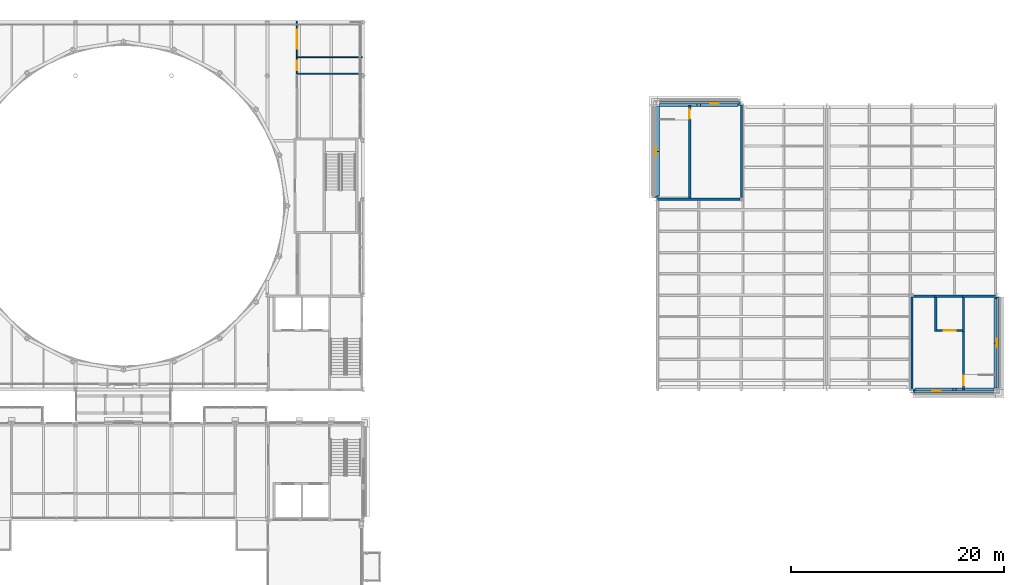
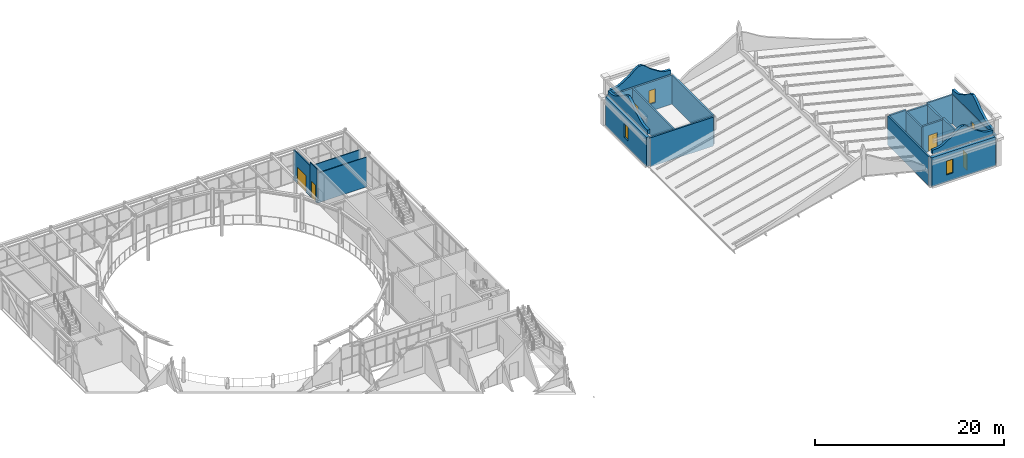
# One storey, part 74 of 111: 23 walls, 5 doors, 4 windows, 9 openings.
"""IFC4 building model written with IfcOpenShell, lengths in metres."""

from ifc_helpers import new_model, si_unit, direction, frame, frame_2d, origin, place, context, subcontext, project, spatial, polyline, rectangle, outline, extrude, material, layer, layer_set, type_object, element, fill, save


model = new_model("IFC4")

# Units and contexts
model_context = context("Model", 3, precision=1e-05, world=origin(), true_north=direction((0.0, 1.0)))
body_context = subcontext(model_context, "Body", "Model", "MODEL_VIEW")
ifc_project = project(units=[si_unit("LENGTHUNIT", "METRE"), si_unit("AREAUNIT", "SQUARE_METRE"), si_unit("VOLUMEUNIT", "CUBIC_METRE"), si_unit("PLANEANGLEUNIT", "RADIAN"), si_unit("MASSUNIT", "GRAM", prefix="KILO")], contexts=[model_context])

# Site, building, storey
site_placement = place(None, origin())
site = spatial("IfcSite", under=ifc_project, at=site_placement, CompositionType="ELEMENT")
building_placement = place(site_placement, origin())
building = spatial("IfcBuilding", under=site, at=building_placement, Name="Kallimachos Central Library", CompositionType="ELEMENT")
storey_placement = place(building_placement, frame((0.0, 0.0, 14.39990234375)))
storey = spatial("IfcBuildingStorey", under=building, at=storey_placement, Name="L03", CompositionType="ELEMENT", Elevation=14.39990234375)

# Walls
ifc_material_1 = material(Name="Concrete C30/37", Category="concrete")
ifc_layer_1 = layer(ifc_material_1, 0.199951171875)
ifc_layer_set_1 = layer_set([ifc_layer_1], Name="Core wall 200")
wall_type_1 = type_object("IfcWallType", Name="Core wall 200", PredefinedType="SOLIDWALL", material=ifc_layer_set_1)
for number, where, z_axis, x_axis, name in (
    (1, (146.0, 105.14990234375, 0.0), (0.0, 0.0, 1.0), (0.0, 1.0, 0.0), "V3-WAL-L03-005"),
    (2, (162.0, 87.14990234375, 0.0), (0.0, 0.0, 1.0), (0.0, 1.0, 0.0), "V3-WAL-L03-006"),
):
    element("IfcWall", number, at=place(storey_placement, frame(where, z_axis=z_axis, x_axis=x_axis)), inside=storey, type_object=wall_type_1, Name=name, PredefinedType="SOLIDWALL", context=body_context, shape_type="SweptSolid", body=[
        extrude(rectangle(XDim=8.7001953125, YDim=0.199951171875, at=frame_2d((4.35009765625, 0.0))), origin(), (0.0, 0.0, 1.0), 3.75),
    ])
wall_1_placement = place(storey_placement, frame((138.14990234375, 105.0, 0.0), z_axis=(0.0, 0.0, 1.0), x_axis=(1.0, 0.0, 0.0)))
element("IfcWall", 3, at=wall_1_placement, inside=storey, type_object=wall_type_1, Name="V3-WAL-L03-007", PredefinedType="SOLIDWALL", context=body_context, shape_type="SweptSolid", body=[
    extrude(rectangle(XDim=7.7001953125, YDim=0.199951171875, at=frame_2d((3.85009765625, 0.0))), origin(), (0.0, 0.0, 1.0), 3.75),
])
wall_2_placement = place(storey_placement, frame((162.14990234375, 95.89990234375, 0.0), z_axis=(0.0, 0.0, 1.0), x_axis=(1.0, 0.0, 0.0)))
element("IfcWall", 4, at=wall_2_placement, inside=storey, type_object=wall_type_1, Name="V3-WAL-L03-008", PredefinedType="SOLIDWALL", context=body_context, shape_type="SweptSolid", body=[
    extrude(rectangle(XDim=2.0, YDim=0.199951171875, at=frame_2d((1.0, 0.0))), origin(), (0.0, 0.0, 1.0), 3.75),
])
wall_3_placement = place(storey_placement, frame((166.75, 95.89990234375, 0.0), z_axis=(0.0, 0.0, 1.0), x_axis=(1.0, 0.0, 0.0)))
element("IfcWall", 5, at=wall_3_placement, inside=storey, type_object=wall_type_1, Name="V3-WAL-L03-009", PredefinedType="SOLIDWALL", context=body_context, shape_type="SweptSolid", body=[
    extrude(rectangle(XDim=3.10009765625, YDim=0.199951171875, at=frame_2d((1.550048828125, 0.0))), origin(), (0.0, 0.0, 1.0), 3.75),
])

# Wall, opening, door
wall_4_placement = place(storey_placement, frame((166.85009765625, 87.14990234375, 0.0), z_axis=(0.0, 0.0, 1.0), x_axis=(0.0, 1.0, 0.0)))
wall_4 = element("IfcWall", 6, at=wall_4_placement, inside=storey, type_object=wall_type_1, Name="V3-WAL-L03-010", PredefinedType="SOLIDWALL", context=body_context, shape_type="SweptSolid", body=[
    extrude(rectangle(XDim=5.4501953125, YDim=0.199951171875, at=frame_2d((2.72509765625, 0.0))), origin(), (0.0, 0.0, 1.0), 3.75),
])
opening_1_placement = place(wall_4_placement, frame((0.39990234375, 0.0, 0.0)))
opening_1 = element("IfcOpeningElement", 7, at=opening_1_placement, cuts=wall_4, Name="Opening D333", PredefinedType="OPENING", context=body_context, shape_type="SweptSolid", body=[
    extrude(rectangle(XDim=0.89990234375, YDim=2.10009765625, at=frame_2d((0.449951171875, 1.050048828125))), frame((0.0, 0.10986328125, 0.0), z_axis=(0.0, -1.0, 0.0), x_axis=(1.0, 0.0, 0.0)), (0.0, 0.0, 1.0), 0.219970703125),
])
ifc_material_2 = material(Name="Steel", Category="steel")
door_type_1 = type_object("IfcDoorType", Name="Single door 900 x 2100", OperationType="NOTDEFINED", PredefinedType="DOOR", material=ifc_material_2)
door_1_placement = place(opening_1_placement, frame((0.89990234375, 0.0, 0.0), z_axis=(0.0, 0.0, 1.0), x_axis=(-1.0, 0.0, 0.0)))
door_1 = element("IfcDoor", 8, at=door_1_placement, inside=storey, type_object=door_type_1, Name="Stair ST7 door L03", OperationType="SINGLE_SWING_LEFT", OverallHeight=2.10009765625, OverallWidth=0.89990234375, PredefinedType="DOOR", context=body_context, shape_type="SweptSolid", body=[
    extrude(rectangle(XDim=0.89990234375, YDim=2.10009765625, at=frame_2d((0.449951171875, 1.050048828125))), frame((0.0, 0.02490234375, 0.0), z_axis=(0.0, -1.0, 0.0), x_axis=(1.0, 0.0, 0.0)), (0.0, 0.0, 1.0), 0.050048828125),
])
fill(opening_1, door_1)

wall_5_placement = place(storey_placement, frame((141.14990234375, 105.10009765625, 0.0), z_axis=(0.0, 0.0, 1.0), x_axis=(0.0, 1.0, 0.0)))
wall_5 = element("IfcWall", 9, at=wall_5_placement, inside=storey, type_object=wall_type_1, Name="V3-WAL-L03-011", PredefinedType="SOLIDWALL", context=body_context, shape_type="SweptSolid", body=[
    extrude(rectangle(XDim=8.699951171875, YDim=0.199951171875, at=frame_2d((4.35009765625, 0.0))), origin(), (0.0, 0.0, 1.0), 3.75),
])
opening_2_placement = place(wall_5_placement, frame((7.449951171875, 0.0, 0.0)))
opening_2 = element("IfcOpeningElement", 10, at=opening_2_placement, cuts=wall_5, Name="Opening D334", PredefinedType="OPENING", context=body_context, shape_type="SweptSolid", body=[
    extrude(rectangle(XDim=0.89990234375, YDim=2.10009765625, at=frame_2d((0.449951171875, 1.050048828125))), frame((0.0, 0.10986328125, 0.0), z_axis=(0.0, -1.0, 0.0), x_axis=(1.0, 0.0, 0.0)), (0.0, 0.0, 1.0), 0.219970703125),
])
door_2_placement = place(opening_2_placement, origin())
door_2 = element("IfcDoor", 11, at=door_2_placement, inside=storey, type_object=door_type_1, Name="Stair ST8 door L03", OperationType="SINGLE_SWING_LEFT", OverallHeight=2.10009765625, OverallWidth=0.89990234375, PredefinedType="DOOR", context=body_context, shape_type="SweptSolid", body=[
    extrude(rectangle(XDim=0.89990234375, YDim=2.10009765625, at=frame_2d((0.449951171875, 1.050048828125))), frame((0.0, 0.02490234375, 0.0), z_axis=(0.0, -1.0, 0.0), x_axis=(1.0, 0.0, 0.0)), (0.0, 0.0, 1.0), 0.050048828125),
])
fill(opening_2, door_2)

# Wall
ifc_material_3 = material(Name="Concrete C30/37", Category="concrete")
ifc_layer_2 = layer(ifc_material_3, 0.199951171875)
ifc_layer_set_2 = layer_set([ifc_layer_2], Name="Lift shaft wall 200")
wall_type_2 = type_object("IfcWallType", Name="Lift shaft wall 200", PredefinedType="SOLIDWALL", material=ifc_layer_set_2)
wall_6_placement = place(storey_placement, frame((164.14990234375, 95.89990234375, 0.0), z_axis=(0.0, 0.0, 1.0), x_axis=(1.0, 0.0, 0.0)))
element("IfcWall", 12, at=wall_6_placement, inside=storey, type_object=wall_type_2, Name="V3-WAL-L03-012", PredefinedType="SOLIDWALL", context=body_context, shape_type="SweptSolid", body=[
    extrude(rectangle(XDim=2.60009765625, YDim=0.199951171875, at=frame_2d((1.300048828125, 0.0))), origin(), (0.0, 0.0, 1.0), 3.5),
])

# Wall, opening, door
wall_7_placement = place(storey_placement, frame((164.35009765625, 92.699951171875, 0.0), z_axis=(0.0, 0.0, 1.0), x_axis=(1.0, 0.0, 0.0)))
wall_7 = element("IfcWall", 13, at=wall_7_placement, inside=storey, type_object=wall_type_2, Name="V3-WAL-L03-013", PredefinedType="SOLIDWALL", context=body_context, shape_type="SweptSolid", body=[
    extrude(rectangle(XDim=2.39990234375, YDim=0.199951171875, at=frame_2d((1.199951171875, 0.0))), origin(), (0.0, 0.0, 1.0), 3.5),
])
opening_3_placement = place(wall_7_placement, frame((0.64990234375, 0.0, 0.0)))
opening_3 = element("IfcOpeningElement", 14, at=opening_3_placement, cuts=wall_7, Name="Opening LD1100", PredefinedType="OPENING", context=body_context, shape_type="SweptSolid", body=[
    extrude(rectangle(XDim=1.10009765625, YDim=2.10009765625, at=frame_2d((0.550048828125, 1.050048828125))), frame((0.0, 0.10986328125, 0.0), z_axis=(0.0, -1.0, 0.0), x_axis=(1.0, 0.0, 0.0)), (0.0, 0.0, 1.0), 0.219970703125),
])
ifc_material_4 = material(Name="Stainless steel", Category="steel")
door_type_2 = type_object("IfcDoorType", Name="Lift landing door 1100 x 2100", OperationType="SLIDING_TO_LEFT", PredefinedType="DOOR", material=ifc_material_4)
door_3_placement = place(opening_3_placement, origin())
door_3 = element("IfcDoor", 15, at=door_3_placement, inside=storey, type_object=door_type_2, Name="LF6 landing door L03", OperationType="SLIDING_TO_LEFT", OverallHeight=2.10009765625, OverallWidth=1.10009765625, PredefinedType="DOOR", context=body_context, shape_type="SweptSolid", body=[
    extrude(rectangle(XDim=1.10009765625, YDim=2.10009765625, at=frame_2d((0.550048828125, 1.050048828125))), frame((0.0, 0.02490234375, 0.0), z_axis=(0.0, -1.0, 0.0), x_axis=(1.0, 0.0, 0.0)), (0.0, 0.0, 1.0), 0.050048828125),
])
fill(opening_3, door_3)

# Walls
for number, where, z_axis, x_axis, name in (
    (16, (164.25, 92.60009765625, 0.0), (0.0, 0.0, 1.0), (0.0, 1.0, 0.0), "V3-WAL-L03-014"),
    (17, (166.85009765625, 92.60009765625, 0.0), (0.0, 0.0, 1.0), (0.0, 1.0, 0.0), "V3-WAL-L03-015"),
):
    element("IfcWall", number, at=place(storey_placement, frame(where, z_axis=z_axis, x_axis=x_axis)), inside=storey, type_object=wall_type_2, Name=name, PredefinedType="SOLIDWALL", context=body_context, shape_type="SweptSolid", body=[
        extrude(rectangle(XDim=3.39990234375, YDim=0.199951171875, at=frame_2d((1.699951171875, 0.0))), origin(), (0.0, 0.0, 1.0), 3.5),
    ])
ifc_material_5 = material(Name="Plasterboard on steel studs", Category="steel")
ifc_layer_3 = layer(ifc_material_5, 0.10009765625)
ifc_layer_set_3 = layer_set([ifc_layer_3], Name="Partition 100")
wall_type_3 = type_object("IfcWallType", Name="Partition 100", PredefinedType="PARTITIONING", material=ifc_layer_set_3)
wall_8_placement = place(storey_placement, frame((104.330078125, 116.780517578125, 0.0), z_axis=(0.0, 0.0, 1.0), x_axis=(1.0, 0.0, 0.0)))
element("IfcWall", 18, at=wall_8_placement, inside=storey, type_object=wall_type_3, Name="Partition", PredefinedType="PARTITIONING", context=body_context, shape_type="SweptSolid", body=[
    extrude(rectangle(XDim=5.9921875, YDim=0.10009765625, at=frame_2d((2.99609375, 0.0))), origin(), (0.0, 0.0, 1.0), 3.85009765625),
])

# Wall, opening, door
wall_9_placement = place(storey_placement, frame((104.280029296875, 116.780517578125, 0.0), z_axis=(0.0, 0.0, 1.0), x_axis=(0.0, 1.0, 0.0)))
wall_9 = element("IfcWall", 19, at=wall_9_placement, inside=storey, type_object=wall_type_3, Name="Partition", PredefinedType="PARTITIONING", context=body_context, shape_type="SweptSolid", body=[
    extrude(rectangle(XDim=1.533203125, YDim=0.10009765625, at=frame_2d((0.7666015625, 0.0))), origin(), (0.0, 0.0, 1.0), 4.35009765625),
])
opening_4_placement = place(wall_9_placement, frame((0.316650390625, 0.0, 0.0)))
opening_4 = element("IfcOpeningElement", 20, at=opening_4_placement, cuts=wall_9, Name="Opening D278", PredefinedType="OPENING", context=body_context, shape_type="SweptSolid", body=[
    extrude(rectangle(XDim=0.89990234375, YDim=2.10009765625, at=frame_2d((0.449951171875, 1.050048828125))), frame((0.0, 0.06005859375, 0.0), z_axis=(0.0, -1.0, 0.0), x_axis=(1.0, 0.0, 0.0)), (0.0, 0.0, 1.0), 0.1201171875),
])
ifc_material_6 = material(Name="Oak veneered door leaf")
door_type_3 = type_object("IfcDoorType", Name="Accessible WC door EI2 30 900 x 2100", OperationType="NOTDEFINED", PredefinedType="DOOR", material=ifc_material_6)
door_4_placement = place(opening_4_placement, frame((0.89990234375, 0.0, 0.0), z_axis=(0.0, 0.0, 1.0), x_axis=(-1.0, 0.0, 0.0)))
door_4 = element("IfcDoor", 21, at=door_4_placement, inside=storey, type_object=door_type_3, Name="V1-DOR-L03-016", OperationType="SINGLE_SWING_LEFT", OverallHeight=2.10009765625, OverallWidth=0.89990234375, PredefinedType="DOOR", context=body_context, shape_type="SweptSolid", body=[
    extrude(rectangle(XDim=0.89990234375, YDim=2.10009765625, at=frame_2d((0.449951171875, 1.050048828125))), frame((0.0, 0.02490234375, 0.0), z_axis=(0.0, -1.0, 0.0), x_axis=(1.0, 0.0, 0.0)), (0.0, 0.0, 1.0), 0.050048828125),
])
fill(opening_4, door_4)

# Wall
wall_10_placement = place(storey_placement, frame((104.330078125, 118.313720703125, 0.0), z_axis=(0.0, 0.0, 1.0), x_axis=(1.0, 0.0, 0.0)))
element("IfcWall", 22, at=wall_10_placement, inside=storey, type_object=wall_type_3, Name="Partition", PredefinedType="PARTITIONING", context=body_context, shape_type="SweptSolid", body=[
    extrude(rectangle(XDim=6.08984375, YDim=0.10009765625, at=frame_2d((3.044921875, 0.0))), origin(), (0.0, 0.0, 1.0), 3.85009765625),
])

# Wall, opening, door
wall_11_placement = place(storey_placement, frame((104.280029296875, 118.313720703125, 0.0), z_axis=(0.0, 0.0, 1.0), x_axis=(0.0, 1.0, 0.0)))
wall_11 = element("IfcWall", 23, at=wall_11_placement, inside=storey, type_object=wall_type_3, Name="Partition", PredefinedType="PARTITIONING", context=body_context, shape_type="SweptSolid", body=[
    extrude(rectangle(XDim=3.40625, YDim=0.10009765625, at=frame_2d((1.703125, 0.0))), origin(), (0.0, 0.0, 1.0), 3.9501953125),
])
opening_5_placement = place(wall_11_placement, frame((0.80322265625, 0.0, 0.0)))
opening_5 = element("IfcOpeningElement", 24, at=opening_5_placement, cuts=wall_11, Name="Opening D279", PredefinedType="OPENING", context=body_context, shape_type="SweptSolid", body=[
    extrude(rectangle(XDim=1.800048828125, YDim=2.10009765625, at=frame_2d((0.89990234375, 1.050048828125))), frame((0.0, 0.06005859375, 0.0), z_axis=(0.0, -1.0, 0.0), x_axis=(1.0, 0.0, 0.0)), (0.0, 0.0, 1.0), 0.1201171875),
])
ifc_material_7 = material(Name="Oak veneered door leaf")
door_type_4 = type_object("IfcDoorType", Name="Double leaf door EI2 30 1800 x 2100", OperationType="DOUBLE_DOOR_SINGLE_SWING", PredefinedType="DOOR", material=ifc_material_7)
door_5_placement = place(opening_5_placement, origin())
door_5 = element("IfcDoor", 25, at=door_5_placement, inside=storey, type_object=door_type_4, Name="V1-DOR-L03-017", OperationType="DOUBLE_DOOR_SINGLE_SWING", OverallHeight=2.10009765625, OverallWidth=1.800048828125, PredefinedType="DOOR", context=body_context, shape_type="SweptSolid", body=[
    extrude(rectangle(XDim=1.800048828125, YDim=2.10009765625, at=frame_2d((0.89990234375, 1.050048828125))), frame((0.0, 0.02490234375, 0.0), z_axis=(0.0, -1.0, 0.0), x_axis=(1.0, 0.0, 0.0)), (0.0, 0.0, 1.0), 0.050048828125),
])
fill(opening_5, door_5)

# Walls
ifc_material_8 = material(Name="Pentelic marble cladding on reinforced concrete C30/37", Category="masonry")
ifc_layer_4 = layer(ifc_material_8, 0.300048828125)
ifc_layer_set_4 = layer_set([ifc_layer_4], Name="Stone crown wall 300")
wall_type_4 = type_object("IfcWallType", Name="Stone crown wall 300", PredefinedType="PARAPET", material=ifc_layer_set_4)
wall_12_placement = place(storey_placement, frame((138.14990234375, 105.300048828125, 4.0), z_axis=(0.0, 0.0, 1.0), x_axis=(0.0, 1.0, 0.0)))
element("IfcWall", 26, at=wall_12_placement, inside=storey, type_object=wall_type_4, Name="Head-house crown west", PredefinedType="PARAPET", context=body_context, shape_type="SweptSolid", body=[
    extrude(outline(polyline([(0.0, 0.0), (8.39990234375, 0.0), (8.39990234375, 0.550048828125), (8.10009765625, 0.55712890625), (7.800048828125, 0.576904296875), (7.5, 0.60595703125), (7.199951171875, 0.68310546875), (6.89990234375, 0.8125), (6.60009765625, 0.97314453125), (6.300048828125, 1.146484375), (6.0, 1.316650390625), (5.699951171875, 1.470703125), (5.39990234375, 1.69580078125), (5.10009765625, 1.951416015625), (4.800048828125, 2.17041015625), (4.5, 2.328125), (4.199951171875, 2.400146484375), (3.89990234375, 2.328125), (3.60009765625, 2.17041015625), (3.300048828125, 1.951416015625), (3.0, 1.69580078125), (2.699951171875, 1.470703125), (2.39990234375, 1.316650390625), (2.10009765625, 1.146484375), (1.800048828125, 0.97314453125), (1.5, 0.8125), (1.199951171875, 0.68310546875), (0.89990234375, 0.60595703125), (0.60009765625, 0.576904296875), (0.300048828125, 0.55712890625), (0.0, 0.550048828125), (0.0, 0.0)])), frame((0.0, 0.14990234375, 0.0), z_axis=(0.0, -1.0, 0.0), x_axis=(1.0, 0.0, 0.0)), (0.0, 0.0, 1.0), 0.300048828125),
])
wall_13_placement = place(storey_placement, frame((138.300048828125, 113.85009765625, 4.0), z_axis=(0.0, 0.0, 1.0), x_axis=(1.0, 0.0, 0.0)))
element("IfcWall", 27, at=wall_13_placement, inside=storey, type_object=wall_type_4, Name="Head-house crown north", PredefinedType="PARAPET", context=body_context, shape_type="SweptSolid", body=[
    extrude(outline(polyline([(0.0, 0.0), (7.39990234375, 0.0), (7.39990234375, 0.550048828125), (7.10400390625, 0.558837890625), (6.80810546875, 0.5830078125), (6.511962890625, 0.62646484375), (6.216064453125, 0.739990234375), (5.919921875, 0.906494140625), (5.6240234375, 1.097900390625), (5.327880859375, 1.290283203125), (5.031982421875, 1.465087890625), (4.736083984375, 1.717041015625), (4.43994140625, 1.9990234375), (4.14404296875, 2.228759765625), (3.847900390625, 2.371826171875), (3.552001953125, 2.371826171875), (3.256103515625, 2.228759765625), (2.9599609375, 1.9990234375), (2.6640625, 1.717041015625), (2.367919921875, 1.465087890625), (2.072021484375, 1.290283203125), (1.77587890625, 1.097900390625), (1.47998046875, 0.906494140625), (1.18408203125, 0.739990234375), (0.887939453125, 0.62646484375), (0.592041015625, 0.5830078125), (0.2958984375, 0.558837890625), (0.0, 0.550048828125), (0.0, 0.0)])), frame((0.0, 0.14990234375, 0.0), z_axis=(0.0, -1.0, 0.0), x_axis=(1.0, 0.0, 0.0)), (0.0, 0.0, 1.0), 0.300048828125),
])
wall_14_placement = place(storey_placement, frame((169.85009765625, 87.300048828125, 4.0), z_axis=(0.0, 0.0, 1.0), x_axis=(0.0, 1.0, 0.0)))
element("IfcWall", 28, at=wall_14_placement, inside=storey, type_object=wall_type_4, Name="Head-house crown east", PredefinedType="PARAPET", context=body_context, shape_type="SweptSolid", body=[
    extrude(outline(polyline([(0.0, 0.0), (8.39990234375, 0.0), (8.39990234375, 0.550048828125), (8.10009765625, 0.55712890625), (7.800048828125, 0.576904296875), (7.5, 0.60595703125), (7.199951171875, 0.68310546875), (6.89990234375, 0.8125), (6.60009765625, 0.97314453125), (6.300048828125, 1.146484375), (6.0, 1.316650390625), (5.699951171875, 1.470703125), (5.39990234375, 1.69580078125), (5.10009765625, 1.951416015625), (4.800048828125, 2.17041015625), (4.5, 2.328125), (4.199951171875, 2.400146484375), (3.89990234375, 2.328125), (3.60009765625, 2.17041015625), (3.300048828125, 1.951416015625), (3.0, 1.69580078125), (2.699951171875, 1.470703125), (2.39990234375, 1.316650390625), (2.10009765625, 1.146484375), (1.800048828125, 0.97314453125), (1.5, 0.8125), (1.199951171875, 0.68310546875), (0.89990234375, 0.60595703125), (0.60009765625, 0.576904296875), (0.300048828125, 0.55712890625), (0.0, 0.550048828125), (0.0, 0.0)])), frame((0.0, 0.14990234375, 0.0), z_axis=(0.0, -1.0, 0.0), x_axis=(1.0, 0.0, 0.0)), (0.0, 0.0, 1.0), 0.300048828125),
])
wall_15_placement = place(storey_placement, frame((162.300048828125, 87.14990234375, 4.0), z_axis=(0.0, 0.0, 1.0), x_axis=(1.0, 0.0, 0.0)))
element("IfcWall", 29, at=wall_15_placement, inside=storey, type_object=wall_type_4, Name="Head-house crown south", PredefinedType="PARAPET", context=body_context, shape_type="SweptSolid", body=[
    extrude(outline(polyline([(0.0, 0.0), (7.39990234375, 0.0), (7.39990234375, 0.550048828125), (7.10400390625, 0.558837890625), (6.80810546875, 0.5830078125), (6.511962890625, 0.62646484375), (6.216064453125, 0.739990234375), (5.919921875, 0.906494140625), (5.6240234375, 1.097900390625), (5.327880859375, 1.290283203125), (5.031982421875, 1.465087890625), (4.736083984375, 1.717041015625), (4.43994140625, 1.9990234375), (4.14404296875, 2.228759765625), (3.847900390625, 2.371826171875), (3.552001953125, 2.371826171875), (3.256103515625, 2.228759765625), (2.9599609375, 1.9990234375), (2.6640625, 1.717041015625), (2.367919921875, 1.465087890625), (2.072021484375, 1.290283203125), (1.77587890625, 1.097900390625), (1.47998046875, 0.906494140625), (1.18408203125, 0.739990234375), (0.887939453125, 0.62646484375), (0.592041015625, 0.5830078125), (0.2958984375, 0.558837890625), (0.0, 0.550048828125), (0.0, 0.0)])), frame((0.0, 0.14990234375, 0.0), z_axis=(0.0, -1.0, 0.0), x_axis=(1.0, 0.0, 0.0)), (0.0, 0.0, 1.0), 0.300048828125),
])

# Wall, opening, window
ifc_material_9 = material(Name="Concrete C30/37", Category="concrete")
ifc_layer_5 = layer(ifc_material_9, 0.39990234375)
ifc_layer_set_5 = layer_set([ifc_layer_5], Name="Stone-clad wall 400")
wall_type_5 = type_object("IfcWallType", Name="Stone-clad wall 400", PredefinedType="SOLIDWALL", material=ifc_layer_set_5)
wall_16_placement = place(storey_placement, frame((138.0, 105.14990234375, 0.0), z_axis=(0.0, 0.0, 1.0), x_axis=(0.0, 1.0, 0.0)))
wall_16 = element("IfcWall", 30, at=wall_16_placement, inside=storey, type_object=wall_type_5, Name="V3-WAL-L03-001", PredefinedType="SOLIDWALL", context=body_context, shape_type="SweptSolid", body=[
    extrude(rectangle(XDim=8.7001953125, YDim=0.39990234375, at=frame_2d((4.35009765625, 0.0))), origin(), (0.0, 0.0, 1.0), 3.75),
])
opening_6_placement = place(wall_16_placement, frame((3.949951171875, 0.0, 0.89990234375)))
opening_6 = element("IfcOpeningElement", 31, at=opening_6_placement, cuts=wall_16, Name="Opening W80", PredefinedType="OPENING", context=body_context, shape_type="SweptSolid", body=[
    extrude(rectangle(XDim=0.800048828125, YDim=1.800048828125, at=frame_2d((0.39990234375, 0.89990234375))), frame((0.0, 0.2099609375, 0.0), z_axis=(0.0, -1.0, 0.0), x_axis=(1.0, 0.0, 0.0)), (0.0, 0.0, 1.0), 0.419921875),
])
ifc_material_10 = material(Name="Anodised aluminium and laminated glass", Category="aluminium")
window_type = type_object("IfcWindowType", Name="Slot window 800 x 1800", PartitioningType="SINGLE_PANEL", PredefinedType="WINDOW", material=ifc_material_10)
window_1_placement = place(opening_6_placement, origin())
window_1 = element("IfcWindow", 32, at=window_1_placement, inside=storey, type_object=window_type, Name="V3-WIN-L03-003", OverallHeight=1.800048828125, OverallWidth=0.800048828125, PartitioningType="SINGLE_PANEL", PredefinedType="WINDOW", context=body_context, shape_type="SweptSolid", body=[
    extrude(rectangle(XDim=0.800048828125, YDim=1.800048828125, at=frame_2d((0.39990234375, 0.89990234375))), frame((0.0, 0.030029296875, 0.0), z_axis=(0.0, -1.0, 0.0), x_axis=(1.0, 0.0, 0.0)), (0.0, 0.0, 1.0), 0.06005859375),
])
fill(opening_6, window_1)

wall_17_placement = place(storey_placement, frame((170.0, 87.14990234375, 0.0), z_axis=(0.0, 0.0, 1.0), x_axis=(0.0, 1.0, 0.0)))
wall_17 = element("IfcWall", 33, at=wall_17_placement, inside=storey, type_object=wall_type_5, Name="V3-WAL-L03-002", PredefinedType="SOLIDWALL", context=body_context, shape_type="SweptSolid", body=[
    extrude(rectangle(XDim=8.7001953125, YDim=0.39990234375, at=frame_2d((4.35009765625, 0.0))), origin(), (0.0, 0.0, 1.0), 3.75),
])
opening_7_placement = place(wall_17_placement, frame((3.949951171875, 0.0, 0.89990234375)))
opening_7 = element("IfcOpeningElement", 34, at=opening_7_placement, cuts=wall_17, Name="Opening W80", PredefinedType="OPENING", context=body_context, shape_type="SweptSolid", body=[
    extrude(rectangle(XDim=0.800048828125, YDim=1.800048828125, at=frame_2d((0.39990234375, 0.89990234375))), frame((0.0, 0.2099609375, 0.0), z_axis=(0.0, -1.0, 0.0), x_axis=(1.0, 0.0, 0.0)), (0.0, 0.0, 1.0), 0.419921875),
])
window_2_placement = place(opening_7_placement, origin())
window_2 = element("IfcWindow", 35, at=window_2_placement, inside=storey, type_object=window_type, Name="V3-WIN-L03-004", OverallHeight=1.800048828125, OverallWidth=0.800048828125, PartitioningType="SINGLE_PANEL", PredefinedType="WINDOW", context=body_context, shape_type="SweptSolid", body=[
    extrude(rectangle(XDim=0.800048828125, YDim=1.800048828125, at=frame_2d((0.39990234375, 0.89990234375))), frame((0.0, 0.030029296875, 0.0), z_axis=(0.0, -1.0, 0.0), x_axis=(1.0, 0.0, 0.0)), (0.0, 0.0, 1.0), 0.06005859375),
])
fill(opening_7, window_2)

wall_18_placement = place(storey_placement, frame((162.10009765625, 87.0, 0.0), z_axis=(0.0, 0.0, 1.0), x_axis=(1.0, 0.0, 0.0)))
wall_18 = element("IfcWall", 36, at=wall_18_placement, inside=storey, type_object=wall_type_5, Name="V3-WAL-L03-003", PredefinedType="SOLIDWALL", context=body_context, shape_type="SweptSolid", body=[
    extrude(rectangle(XDim=7.75, YDim=0.39990234375, at=frame_2d((3.875, 0.0))), origin(), (0.0, 0.0, 1.0), 3.75),
])
opening_8_placement = place(wall_18_placement, frame((1.800048828125, 0.0, 0.89990234375)))
opening_8 = element("IfcOpeningElement", 37, at=opening_8_placement, cuts=wall_18, Name="Opening W80", PredefinedType="OPENING", context=body_context, shape_type="SweptSolid", body=[
    extrude(rectangle(XDim=0.800048828125, YDim=1.800048828125, at=frame_2d((0.39990234375, 0.89990234375))), frame((0.0, 0.2099609375, 0.0), z_axis=(0.0, -1.0, 0.0), x_axis=(1.0, 0.0, 0.0)), (0.0, 0.0, 1.0), 0.419921875),
])
window_3_placement = place(opening_8_placement, origin())
window_3 = element("IfcWindow", 38, at=window_3_placement, inside=storey, type_object=window_type, Name="V3-WIN-L03-001", OverallHeight=1.800048828125, OverallWidth=0.800048828125, PartitioningType="SINGLE_PANEL", PredefinedType="WINDOW", context=body_context, shape_type="SweptSolid", body=[
    extrude(rectangle(XDim=0.800048828125, YDim=1.800048828125, at=frame_2d((0.39990234375, 0.89990234375))), frame((0.0, 0.030029296875, 0.0), z_axis=(0.0, -1.0, 0.0), x_axis=(1.0, 0.0, 0.0)), (0.0, 0.0, 1.0), 0.06005859375),
])
fill(opening_8, window_3)

wall_19_placement = place(storey_placement, frame((138.14990234375, 114.0, 0.0), z_axis=(0.0, 0.0, 1.0), x_axis=(1.0, 0.0, 0.0)))
wall_19 = element("IfcWall", 39, at=wall_19_placement, inside=storey, type_object=wall_type_5, Name="V3-WAL-L03-004", PredefinedType="SOLIDWALL", context=body_context, shape_type="SweptSolid", body=[
    extrude(rectangle(XDim=7.75, YDim=0.39990234375, at=frame_2d((3.875, 0.0))), origin(), (0.0, 0.0, 1.0), 3.75),
])
opening_9_placement = place(wall_19_placement, frame((4.949951171875, 0.0, 0.89990234375)))
opening_9 = element("IfcOpeningElement", 40, at=opening_9_placement, cuts=wall_19, Name="Opening W80", PredefinedType="OPENING", context=body_context, shape_type="SweptSolid", body=[
    extrude(rectangle(XDim=0.800048828125, YDim=1.800048828125, at=frame_2d((0.39990234375, 0.89990234375))), frame((0.0, 0.2099609375, 0.0), z_axis=(0.0, -1.0, 0.0), x_axis=(1.0, 0.0, 0.0)), (0.0, 0.0, 1.0), 0.419921875),
])
window_4_placement = place(opening_9_placement, origin())
window_4 = element("IfcWindow", 41, at=window_4_placement, inside=storey, type_object=window_type, Name="V3-WIN-L03-002", OverallHeight=1.800048828125, OverallWidth=0.800048828125, PartitioningType="SINGLE_PANEL", PredefinedType="WINDOW", context=body_context, shape_type="SweptSolid", body=[
    extrude(rectangle(XDim=0.800048828125, YDim=1.800048828125, at=frame_2d((0.39990234375, 0.89990234375))), frame((0.0, 0.030029296875, 0.0), z_axis=(0.0, -1.0, 0.0), x_axis=(1.0, 0.0, 0.0)), (0.0, 0.0, 1.0), 0.06005859375),
])
fill(opening_9, window_4)

save(model, "model.ifc")
